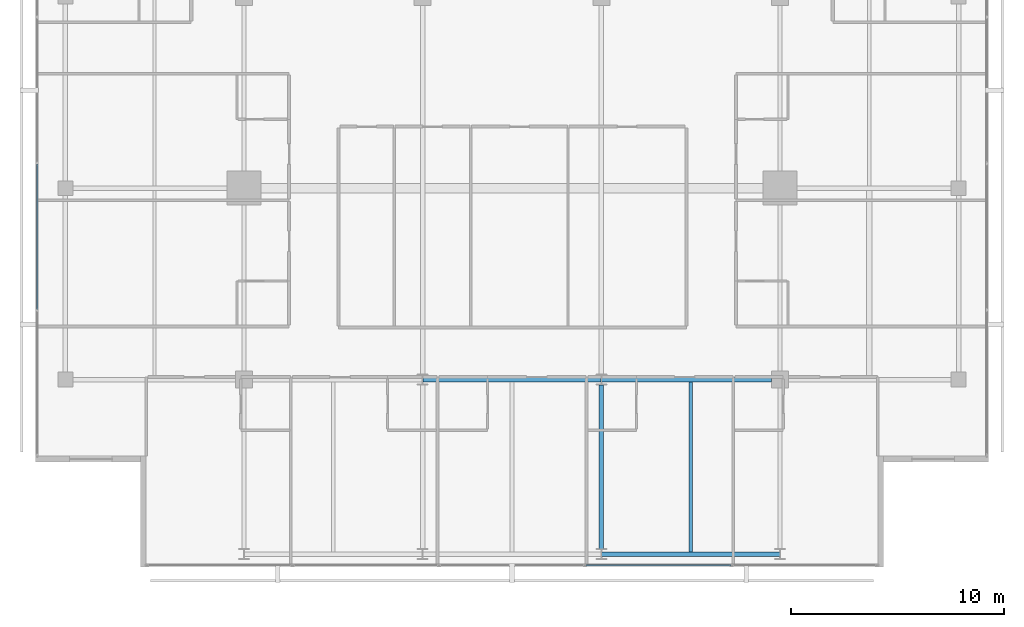
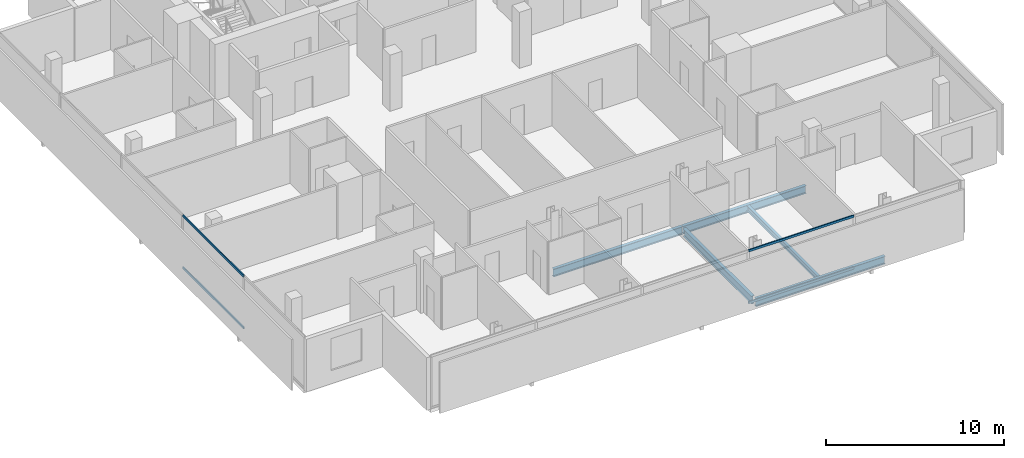
# One storey, part 7 of 25: 5 beams, 4 members, 2 elements without a shape of their own.
"""IFC4 building model written with IfcOpenShell, lengths in metres."""

from ifc_helpers import new_model, si_unit, direction, frame, origin, origin_2d, place, context, subcontext, project, spatial, hollow_rectangle, i_section, extrude, material, layer, layer_set, material_profile, profile_set, type_object, element, aggregate, save


model = new_model("IFC4")

# Units and contexts
model_context = context("Model", 3, precision=1e-05, world=origin(), true_north=direction((0.0, 1.0)))
body_context = subcontext(model_context, "Body", "Model", "MODEL_VIEW")
ifc_project = project(units=[si_unit("LENGTHUNIT", "METRE"), si_unit("AREAUNIT", "SQUARE_METRE"), si_unit("VOLUMEUNIT", "CUBIC_METRE"), si_unit("PLANEANGLEUNIT", "RADIAN"), si_unit("MASSUNIT", "GRAM", prefix="KILO")], contexts=[model_context])

# Site, building, storey
site_placement = place(None, origin())
site = spatial("IfcSite", under=ifc_project, at=site_placement, CompositionType="ELEMENT")
building_placement = place(site_placement, origin())
building = spatial("IfcBuilding", under=site, at=building_placement, Name="Maruvema Waterfront Hotel and Observation Tower", CompositionType="ELEMENT")
storey_placement = place(building_placement, frame((0.0, 0.0, 270.199951171875)))
storey = spatial("IfcBuildingStorey", under=building, at=storey_placement, Name="L66", CompositionType="ELEMENT", Elevation=270.199951171875)

# Curtain wall, members
ifc_material_1 = material(Name="Anodised bronze aluminium and solar-control low-E IGU", Category="aluminium")
ifc_layer = layer(ifc_material_1, 0.159912109375, Name="Zone 3 Champagne Inner Thermal Curtain Wall System CW-04")
ifc_layer_set = layer_set([ifc_layer], Name="Anodised bronze aluminium and solar-control low-E IGU")
curtain_wall_type = type_object("IfcCurtainWallType", Name="Zone 3 Champagne Inner Thermal Curtain Wall System CW-04", PredefinedType="USERDEFINED", material=ifc_layer_set)
curtain_wall_1_placement = place(storey_placement, origin())
curtain_wall_1 = element("IfcCurtainWall", 1, at=curtain_wall_1_placement, inside=storey, type_object=curtain_wall_type, Name="L66 Curtain Wall CW-L66-S", ObjectType="UNITISED CURTAIN WALL", PredefinedType="USERDEFINED")
ifc_material_2 = material(Name="Anodised architectural bronze aluminium", Category="aluminium")
ifc_material_profile_1 = material_profile(ifc_material_2, hollow_rectangle(XDim=0.070068359375, YDim=0.14990234375, WallThickness=0.00390625, at=origin_2d()), Name="ALU-T70x150")
ifc_profile_set_1 = profile_set([ifc_material_profile_1], Name="Anodised architectural bronze aluminium")
member_type = type_object("IfcMemberType", Name="Curtain Wall Horizontal Transom ALU-T70x150", PredefinedType="USERDEFINED", material=ifc_profile_set_1)
member_1_placement = place(storey_placement, frame((41.27001953125, 9.280029296875, 0.030029296875), z_axis=(1.0, 0.0, 0.0), x_axis=(0.0, 1.0, 0.0)))
member_1 = element("IfcMember", 2, at=member_1_placement, type_object=member_type, Name="CW-04 transom 4.1", ObjectType="TRANSOM", PredefinedType="USERDEFINED", context=body_context, shape_type="SweptSolid", body=[
    extrude(hollow_rectangle(XDim=0.070068359375, YDim=0.14990234375, WallThickness=0.00390625, at=origin_2d()), origin(), (0.0, 0.0, 1.0), 6.820068359375),
])
member_2_placement = place(storey_placement, frame((41.27001953125, 9.280029296875, 3.580078125), z_axis=(1.0, 0.0, 0.0), x_axis=(0.0, 1.0, 0.0)))
member_2 = element("IfcMember", 3, at=member_2_placement, type_object=member_type, Name="CW-04 transom 4.2", ObjectType="TRANSOM", PredefinedType="USERDEFINED", context=body_context, shape_type="SweptSolid", body=[
    extrude(hollow_rectangle(XDim=0.070068359375, YDim=0.14990234375, WallThickness=0.00390625, at=origin_2d()), origin(), (0.0, 0.0, 1.0), 6.820068359375),
])
aggregate(curtain_wall_1, [member_1, member_2])

curtain_wall_2_placement = place(storey_placement, origin())
curtain_wall_2 = element("IfcCurtainWall", 4, at=curtain_wall_2_placement, inside=storey, type_object=curtain_wall_type, Name="L66 Curtain Wall CW-L66-W", ObjectType="UNITISED CURTAIN WALL", PredefinedType="USERDEFINED")
member_3_placement = place(storey_placement, frame((15.47998046875, 28.1298828125, 0.030029296875), z_axis=(0.0, -1.0, 0.0), x_axis=(1.0, 0.0, 0.0)))
member_3 = element("IfcMember", 5, at=member_3_placement, type_object=member_type, Name="CW-04 transom 4.1", ObjectType="TRANSOM", PredefinedType="USERDEFINED", context=body_context, shape_type="SweptSolid", body=[
    extrude(hollow_rectangle(XDim=0.070068359375, YDim=0.14990234375, WallThickness=0.00390625, at=origin_2d()), origin(), (0.0, 0.0, 1.0), 6.81982421875),
])
member_4_placement = place(storey_placement, frame((15.47998046875, 28.1298828125, 3.580078125), z_axis=(0.0, -1.0, 0.0), x_axis=(1.0, 0.0, 0.0)))
member_4 = element("IfcMember", 6, at=member_4_placement, type_object=member_type, Name="CW-04 transom 4.2", ObjectType="TRANSOM", PredefinedType="USERDEFINED", context=body_context, shape_type="SweptSolid", body=[
    extrude(hollow_rectangle(XDim=0.070068359375, YDim=0.14990234375, WallThickness=0.00390625, at=origin_2d()), origin(), (0.0, 0.0, 1.0), 6.81982421875),
])
aggregate(curtain_wall_2, [member_3, member_4])

# Beams
ifc_material_3 = material(Name="Steel ASTM A572 Grade 50", Category="steel")
ifc_material_profile_2 = material_profile(ifc_material_3, i_section(OverallWidth=0.208984375, OverallDepth=0.532958984375, WebThickness=0.01025390625, FlangeThickness=0.015625, FilletRadius=0.014892578125, at=origin_2d()), Name="W530x92.0")
ifc_profile_set_2 = profile_set([ifc_material_profile_2], Name="Steel ASTM A572 Grade 50")
beam_type_1 = type_object("IfcBeamType", Name="Primary Floor Girder W530x92.0", PredefinedType="BEAM", material=ifc_profile_set_2)
for number, where, z_axis, x_axis, name in (
    (7, (42.010986328125, 9.800048828125, -0.50634765625), (1.0, 0.0, 0.0), (0.0, 1.0, 0.0), "L66 Floor Girder EW-03"),
    (8, (33.611083984375, 18.0, -0.50634765625), (1.0, 0.0, 0.0), (0.0, 1.0, 0.0), "L66 Floor Girder EW-06"),
):
    element("IfcBeam", number, at=place(storey_placement, frame(where, z_axis=z_axis, x_axis=x_axis)), inside=storey, type_object=beam_type_1, Name=name, PredefinedType="BEAM", context=body_context, shape_type="SweptSolid", body=[
        extrude(i_section(OverallWidth=0.208984375, OverallDepth=0.532958984375, WebThickness=0.01025390625, FlangeThickness=0.015625, FilletRadius=0.014892578125, at=origin_2d()), origin(), (0.0, 0.0, 1.0), 8.3779296875),
    ])
beam_1_placement = place(storey_placement, frame((42.010986328125, 18.0, -0.50634765625), z_axis=(1.0, 0.0, 0.0), x_axis=(0.0, 1.0, 0.0)))
element("IfcBeam", 9, at=beam_1_placement, inside=storey, type_object=beam_type_1, Name="L66 Floor Girder EW-07", PredefinedType="BEAM", context=body_context, shape_type="SweptSolid", body=[
    extrude(i_section(OverallWidth=0.208984375, OverallDepth=0.532958984375, WebThickness=0.01025390625, FlangeThickness=0.015625, FilletRadius=0.014892578125, at=origin_2d()), origin(), (0.0, 0.0, 1.0), 7.989013671875),
])
beam_2_placement = place(storey_placement, frame((42.0, 10.050048828125, -0.50634765625), z_axis=(0.0, 1.0, 0.0), x_axis=(-1.0, 0.0, 0.0)))
element("IfcBeam", 10, at=beam_2_placement, inside=storey, type_object=beam_type_1, Name="L66 Floor Girder NS-10", PredefinedType="BEAM", context=body_context, shape_type="SweptSolid", body=[
    extrude(i_section(OverallWidth=0.208984375, OverallDepth=0.532958984375, WebThickness=0.01025390625, FlangeThickness=0.015625, FilletRadius=0.014892578125, at=origin_2d()), origin(), (0.0, 0.0, 1.0), 7.699951171875),
])
ifc_material_4 = material(Name="Steel ASTM A572 Grade 50", Category="steel")
ifc_material_profile_3 = material_profile(ifc_material_4, i_section(OverallWidth=0.1708984375, OverallDepth=0.35498046875, WebThickness=0.007080078125, FlangeThickness=0.01171875, FilletRadius=0.014892578125, at=origin_2d()), Name="W360x51.0")
ifc_profile_set_3 = profile_set([ifc_material_profile_3], Name="Steel ASTM A572 Grade 50")
beam_type_2 = type_object("IfcBeamType", Name="Secondary Floor Joist W360x51.0", PredefinedType="JOIST", material=ifc_profile_set_3)
beam_3_placement = place(storey_placement, frame((46.199951171875, 9.904541015625, -0.41748046875), z_axis=(0.0, 1.0, 0.0), x_axis=(-1.0, 0.0, 0.0)))
element("IfcBeam", 11, at=beam_3_placement, inside=storey, type_object=beam_type_2, Name="L66 Secondary Floor Joist JS-06", PredefinedType="JOIST", context=body_context, shape_type="SweptSolid", body=[
    extrude(i_section(OverallWidth=0.1708984375, OverallDepth=0.35498046875, WebThickness=0.007080078125, FlangeThickness=0.01171875, FilletRadius=0.014892578125, at=origin_2d()), origin(), (0.0, 0.0, 1.0), 7.990966796875),
])

save(model, "model.ifc")
